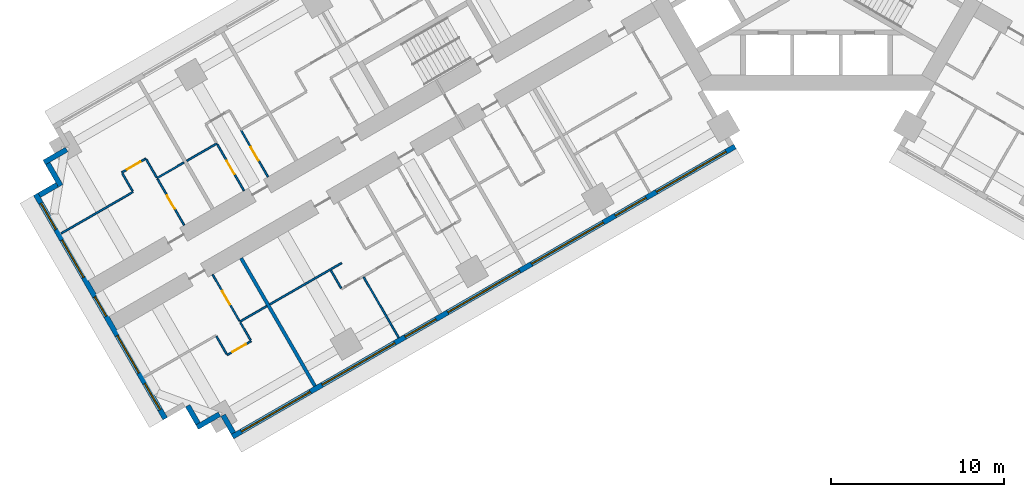
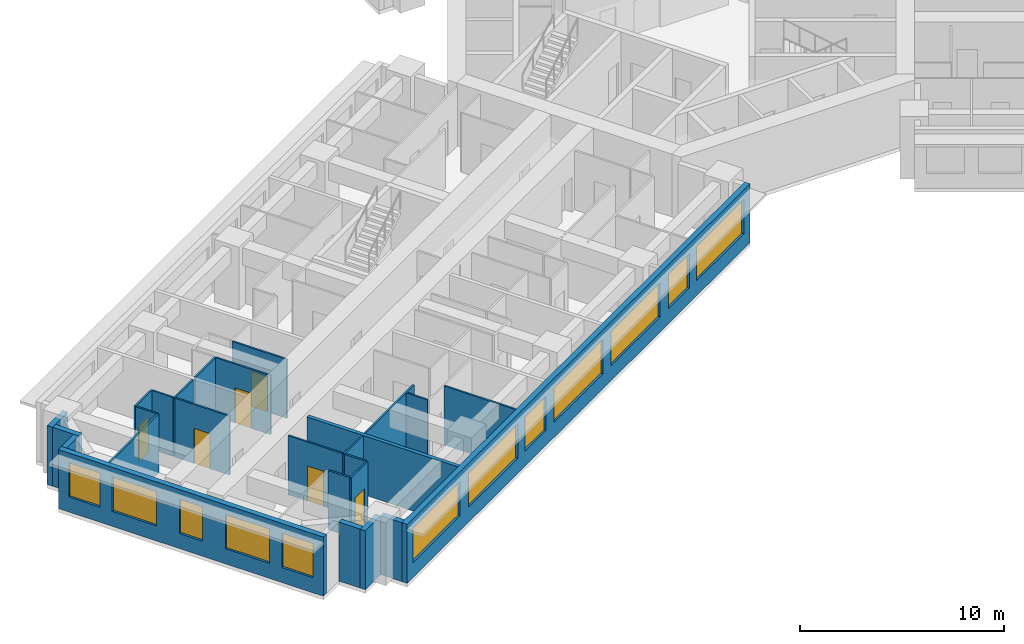
# One storey, part 3 of 16: 26 walls, 12 windows, 6 doors, 18 openings.
"""IFC4 building model written with IfcOpenShell, lengths in metres."""

import ifcopenshell
import ifcopenshell.guid

model = None  # the IFC model being written
_history = None  # IfcOwnerHistory: only IFC2X3 demands one
_inside = {}  # id of a spatial element -> (the spatial element, [elements in it])
_under = {}  # id of a project, library or spatial element -> (it, [spatial elements below it])
_declared = {}  # id of a project -> (the project, [libraries it declares])
_typed = {}  # id of a type object -> (the type object, [elements of that type])
_made_of = {}  # id of a material, layer set ... -> (it, [elements and type objects made of it])


def new_model(schema):
    """Start an empty IFC model of exactly this schema.

    Asked for "IFC4X3", IfcOpenShell would pick the latest addendum, in which some entities
    have other attributes; the version numbers below select the first issue.
    IFC2X3 requires an IfcOwnerHistory on every rooted entity: one is made here for all.
    """
    global model, _history
    if schema == "IFC4X3":
        model = ifcopenshell.file(schema_version=(4, 3, 0, 0))
    else:
        model = ifcopenshell.file(schema=schema)
    _inside.clear()
    _under.clear()
    _declared.clear()
    _typed.clear()
    _made_of.clear()
    _history = None
    if model.schema == "IFC2X3":
        org = make("IfcOrganization", Name="unknown")
        user = make(
            "IfcPersonAndOrganization",
            ThePerson=make("IfcPerson", FamilyName="unknown"),
            TheOrganization=org,
        )
        app = make(
            "IfcApplication",
            ApplicationDeveloper=org,
            Version="unknown",
            ApplicationFullName="unknown",
            ApplicationIdentifier="unknown",
        )
        _history = make(
            "IfcOwnerHistory",
            OwningUser=user,
            OwningApplication=app,
            ChangeAction="ADDED",
            CreationDate=0,
        )
    return model


def make(cls, **values):
    """One entity of the class cls with the attributes given. An attribute that is None is left unset."""
    return model.create_entity(
        cls, **{name: value for name, value in values.items() if value is not None}
    )


def rooted(cls, **values):
    """An entity with a GlobalId (a new one), such as an element, a storey or a relation."""
    return make(cls, GlobalId=ifcopenshell.guid.new(), OwnerHistory=_history, **values)


def si_unit(unit_type, name, prefix=None):
    """IfcSIUnit, for example si_unit("LENGTHUNIT", "METRE", prefix="MILLI")."""
    return make("IfcSIUnit", UnitType=unit_type, Prefix=prefix, Name=name)


def assignment(units):
    """IfcUnitAssignment: the units of a project."""
    return None if units is None else make("IfcUnitAssignment", Units=units)


def point(xyz):
    """IfcCartesianPoint."""
    return None if xyz is None else make("IfcCartesianPoint", Coordinates=xyz)


def direction(xyz):
    """IfcDirection."""
    return None if xyz is None else make("IfcDirection", DirectionRatios=xyz)


def frame(location, z_axis=None, x_axis=None):
    """IfcAxis2Placement3D, a coordinate frame: its origin and axes. An axis left out is left unset."""
    return make(
        "IfcAxis2Placement3D",
        Location=point(location),
        Axis=direction(z_axis),
        RefDirection=direction(x_axis),
    )


def frame_2d(location, x_axis=None):
    """IfcAxis2Placement2D, a coordinate frame in the plane: its origin and x axis."""
    return make(
        "IfcAxis2Placement2D", Location=point(location), RefDirection=direction(x_axis)
    )


def origin():
    """The frame at (0, 0, 0) with its axes left unset."""
    return frame((0.0, 0.0, 0.0))


def place(relative_to, where):
    """IfcLocalPlacement: puts the frame where relative to a parent placement (None: the world)."""
    return make(
        "IfcLocalPlacement", PlacementRelTo=relative_to, RelativePlacement=where
    )


def context(
    kind, dimensions, precision=None, world=None, true_north=None, identifier=None
):
    """IfcGeometricRepresentationContext, for example the 3D "Model" context."""
    return make(
        "IfcGeometricRepresentationContext",
        ContextIdentifier=identifier,
        ContextType=kind,
        CoordinateSpaceDimension=dimensions,
        Precision=precision,
        WorldCoordinateSystem=world,
        TrueNorth=true_north,
    )


def subcontext(parent, identifier, kind, view, scale=None):
    """IfcGeometricRepresentationSubContext, for example "Body" below "Model"."""
    return make(
        "IfcGeometricRepresentationSubContext",
        ContextIdentifier=identifier,
        ContextType=kind,
        ParentContext=parent,
        TargetScale=scale,
        TargetView=view,
    )


def project(units=None, contexts=None):
    """IfcProject with its units and contexts."""
    return rooted(
        "IfcProject",
        Name="project",
        RepresentationContexts=contexts,
        UnitsInContext=assignment(units),
    )


def spatial(cls, under=None, at=None, **own):
    """A site, building, storey or space (cls), placed at a placement, below another one or the project."""
    s = rooted(cls, ObjectPlacement=at, **own)
    if under is not None:
        _under.setdefault(under.id(), (under, []))[1].append(s)
    return s


def profile(cls, at=None, kind="AREA", **sizes):
    """A parametric profile (cls). Its sizes go by their IFC names, for example OverallWidth=200.0."""
    return make(cls, ProfileType=kind, Position=at, **sizes)


def rectangle(**sizes):
    """IfcRectangleProfileDef."""
    return profile("IfcRectangleProfileDef", **sizes)


def extrude(swept, where, along, depth):
    """IfcExtrudedAreaSolid: the profile swept, set in the frame where, extruded along a direction by depth."""
    return make(
        "IfcExtrudedAreaSolid",
        SweptArea=swept,
        Position=where,
        ExtrudedDirection=direction(along),
        Depth=depth,
    )


def shape(context_of_items, identifier, shape_type, items):
    """IfcShapeRepresentation: the items that make up one representation, for example the "Body"."""
    return make(
        "IfcShapeRepresentation",
        ContextOfItems=context_of_items,
        RepresentationIdentifier=identifier,
        RepresentationType=shape_type,
        Items=items,
    )


def material(Name=None, Category=None):
    """IfcMaterial."""
    return make("IfcMaterial", Name=Name, Category=Category)


def layer(
    of_material, thickness, ventilated=None, Name=None, Category=None, Priority=None
):
    """IfcMaterialLayer: one layer of a wall or slab, of a material (None: an air gap)."""
    return make(
        "IfcMaterialLayer",
        Material=of_material,
        LayerThickness=thickness,
        IsVentilated=ventilated,
        Name=Name,
        Category=Category,
        Priority=Priority,
    )


def layer_set(layers, Name=None):
    """IfcMaterialLayerSet."""
    return make("IfcMaterialLayerSet", MaterialLayers=layers, LayerSetName=Name)


def made_of(thing, what):
    """Note that an element or type object is made of a material, layer set ...; save() writes the relation."""
    if what is not None:
        _made_of.setdefault(what.id(), (what, []))[1].append(thing)
    return thing


def type_object(cls, material=None, **own):
    """A type object (cls), such as IfcWallType, which elements share."""
    return made_of(rooted(cls, **own), material)


def element(
    cls,
    number,
    at=None,
    inside=None,
    cuts=None,
    type_object=None,
    material=None,
    context=None,
    identifier="Body",
    shape_type=None,
    held_by="IfcProductDefinitionShape",
    body=None,
    shapes=None,
    **own,
):
    """One element of the class cls, such as IfcWall. Its Tag is "e" and its number.

    at: its placement. inside: the storey or other place that contains it. cuts: it is an
    opening in that element (IfcRelVoidsElement). A single representation is given by context,
    identifier, shape_type and body (its items); several are given by shapes. held_by: the class
    of the entity that holds the representations. save() writes the other relations.
    """
    e = rooted(cls, Tag="e%d" % number, ObjectPlacement=at, **own)
    if body is not None:
        shapes = [shape(context, identifier, shape_type, body)]
    if shapes is not None:
        e.Representation = make(held_by, Representations=shapes)
    if inside is not None:
        _inside.setdefault(inside.id(), (inside, []))[1].append(e)
    if cuts is not None:
        rooted(
            "IfcRelVoidsElement", RelatingBuildingElement=cuts, RelatedOpeningElement=e
        )
    if type_object is not None:
        _typed.setdefault(type_object.id(), (type_object, []))[1].append(e)
    return made_of(e, material)


def fill(opening, filler):
    """IfcRelFillsElement: the door or window that sits in an opening."""
    return rooted(
        "IfcRelFillsElement",
        RelatingOpeningElement=opening,
        RelatedBuildingElement=filler,
    )


def aggregate(whole, parts):
    """IfcRelAggregates: a whole, such as a stair, and the parts it consists of."""
    return rooted("IfcRelAggregates", RelatingObject=whole, RelatedObjects=parts)


def save(model, path):
    """Write the relations noted so far, then the file.

    IfcRelAggregates (storeys below a building ...), IfcRelContainedInSpatialStructure (elements
    in a storey), IfcRelDefinesByType, IfcRelAssociatesMaterial and IfcRelDeclares: one each for
    every whole, place, type object, material and project.
    """
    for whole, parts in _under.values():
        aggregate(whole, parts)
    for where, things in _inside.values():
        rooted(
            "IfcRelContainedInSpatialStructure",
            RelatedElements=things,
            RelatingStructure=where,
        )
    for kind, things in _typed.values():
        rooted("IfcRelDefinesByType", RelatedObjects=things, RelatingType=kind)
    for what, things in _made_of.values():
        rooted("IfcRelAssociatesMaterial", RelatedObjects=things, RelatingMaterial=what)
    for by, libraries in _declared.values():
        rooted("IfcRelDeclares", RelatingContext=by, RelatedDefinitions=libraries)
    model.write(path)


model = new_model("IFC4")

# Units and contexts
model_context = context("Model", 3, precision=1e-05, world=origin(), true_north=direction((0.0, 1.0)))
body_context = subcontext(model_context, "Body", "Model", "MODEL_VIEW")
ifc_project = project(units=[si_unit("LENGTHUNIT", "METRE"), si_unit("AREAUNIT", "SQUARE_METRE"), si_unit("VOLUMEUNIT", "CUBIC_METRE"), si_unit("PLANEANGLEUNIT", "RADIAN"), si_unit("MASSUNIT", "GRAM", prefix="KILO")], contexts=[model_context])

# Site, building, storey
site_placement = place(None, origin())
site = spatial("IfcSite", under=ifc_project, at=site_placement, CompositionType="ELEMENT")
building_placement = place(site_placement, origin())
building = spatial("IfcBuilding", under=site, at=building_placement, Name="Impinga Residences", CompositionType="ELEMENT")
storey_placement = place(building_placement, frame((0.0, 0.0, 63.5)))
storey = spatial("IfcBuildingStorey", under=building, at=storey_placement, Name="L15", CompositionType="ELEMENT", Elevation=63.5)

# Walls
ifc_material_1 = material(Name="Terracotta rainscreen on blockwork", Category="masonry")
ifc_layer_1 = layer(ifc_material_1, 0.300048828125)
ifc_layer_set_1 = layer_set([ifc_layer_1], Name="EW1 external wall, terracotta rainscreen on blockwork 300")
wall_type_1 = type_object("IfcWallType", Name="EW1 external wall, terracotta rainscreen on blockwork 300", PredefinedType="SOLIDWALL", material=ifc_layer_set_1)
wall_1_placement = place(storey_placement, frame((-33.7685546875, -31.274169921875, 0.0), z_axis=(0.0, 0.0, 1.0), x_axis=(-0.499940577336, 0.866059708757, 0.0)))
element("IfcWall", 1, at=wall_1_placement, inside=storey, type_object=wall_type_1, Name="External wall EW1 L15", PredefinedType="SOLIDWALL", context=body_context, shape_type="SweptSolid", body=[
    extrude(rectangle(XDim=1.195068359375, YDim=0.300048828125, at=frame_2d((0.59765625, 0.0))), origin(), (0.0, 0.0, 1.0), 3.530029296875),
])
wall_2_placement = place(storey_placement, frame((-34.573486328125, -30.18017578125, 0.0), z_axis=(0.0, 0.0, 1.0), x_axis=(-0.866031096941, -0.499990139034, 0.0)))
element("IfcWall", 2, at=wall_2_placement, inside=storey, type_object=wall_type_1, Name="External wall EW1 L15", PredefinedType="SOLIDWALL", context=body_context, shape_type="SweptSolid", body=[
    extrude(rectangle(XDim=1.5, YDim=0.300048828125, at=frame_2d((0.75, 0.0))), origin(), (0.0, 0.0, 1.0), 3.530029296875),
])
wall_3_placement = place(storey_placement, frame((-35.817626953125, -30.72509765625, 0.0), z_axis=(0.0, 0.0, 1.0), x_axis=(-0.499969057507, 0.866043267704, 0.0)))
element("IfcWall", 3, at=wall_3_placement, inside=storey, type_object=wall_type_1, Name="External wall EW1 L15", PredefinedType="SOLIDWALL", context=body_context, shape_type="SweptSolid", body=[
    extrude(rectangle(XDim=1.19970703125, YDim=0.300048828125, at=frame_2d((0.599853515625, 0.0))), origin(), (0.0, 0.0, 1.0), 3.530029296875),
])

# Wall, openings, windows
wall_4_placement = place(storey_placement, frame((-37.716552734375, -30.43603515625, 0.0), z_axis=(0.0, 0.0, 1.0), x_axis=(-0.499997186618, 0.866027028085, 0.0)))
wall_4 = element("IfcWall", 4, at=wall_4_placement, inside=storey, type_object=wall_type_1, Name="External wall EW1 L15", PredefinedType="SOLIDWALL", context=body_context, shape_type="SweptSolid", body=[
    extrude(rectangle(XDim=15.0, YDim=0.300048828125, at=frame_2d((7.5, 0.0))), origin(), (0.0, 0.0, 1.0), 3.530029296875),
])
opening_1_placement = place(wall_4_placement, frame((0.60009765625, 0.0, 0.89990234375)))
opening_1 = element("IfcOpeningElement", 5, at=opening_1_placement, cuts=wall_4, Name="Opening W1", PredefinedType="OPENING", context=body_context, shape_type="SweptSolid", body=[
    extrude(rectangle(XDim=1.75, YDim=2.050048828125, at=frame_2d((0.875, 1.02490234375))), frame((0.0, 0.159912109375, 0.0), z_axis=(0.0, -1.0, 0.0), x_axis=(1.0, 0.0, 0.0)), (0.0, 0.0, 1.0), 0.320068359375),
])
opening_2_placement = place(wall_4_placement, frame((3.050048828125, 0.0, 0.89990234375)))
opening_2 = element("IfcOpeningElement", 6, at=opening_2_placement, cuts=wall_4, Name="Opening W2", PredefinedType="OPENING", context=body_context, shape_type="SweptSolid", body=[
    extrude(rectangle(XDim=2.5, YDim=2.050048828125, at=frame_2d((1.25, 1.02490234375))), frame((0.0, 0.159912109375, 0.0), z_axis=(0.0, -1.0, 0.0), x_axis=(1.0, 0.0, 0.0)), (0.0, 0.0, 1.0), 0.320068359375),
])
opening_3_placement = place(wall_4_placement, frame((6.85009765625, 0.0, 0.89990234375)))
opening_3 = element("IfcOpeningElement", 7, at=opening_3_placement, cuts=wall_4, Name="Opening WE1", PredefinedType="OPENING", context=body_context, shape_type="SweptSolid", body=[
    extrude(rectangle(XDim=1.300048828125, YDim=2.050048828125, at=frame_2d((0.64990234375, 1.02490234375))), frame((0.0, 0.159912109375, 0.0), z_axis=(0.0, -1.0, 0.0), x_axis=(1.0, 0.0, 0.0)), (0.0, 0.0, 1.0), 0.320068359375),
])
opening_4_placement = place(wall_4_placement, frame((9.449951171875, 0.0, 0.89990234375)))
opening_4 = element("IfcOpeningElement", 8, at=opening_4_placement, cuts=wall_4, Name="Opening W2", PredefinedType="OPENING", context=body_context, shape_type="SweptSolid", body=[
    extrude(rectangle(XDim=2.5, YDim=2.050048828125, at=frame_2d((1.25, 1.02490234375))), frame((0.0, 0.159912109375, 0.0), z_axis=(0.0, -1.0, 0.0), x_axis=(1.0, 0.0, 0.0)), (0.0, 0.0, 1.0), 0.320068359375),
])
opening_5_placement = place(wall_4_placement, frame((12.64990234375, 0.0, 0.89990234375)))
opening_5 = element("IfcOpeningElement", 9, at=opening_5_placement, cuts=wall_4, Name="Opening W1", PredefinedType="OPENING", context=body_context, shape_type="SweptSolid", body=[
    extrude(rectangle(XDim=1.75, YDim=2.050048828125, at=frame_2d((0.875, 1.02490234375))), frame((0.0, 0.159912109375, 0.0), z_axis=(0.0, -1.0, 0.0), x_axis=(1.0, 0.0, 0.0)), (0.0, 0.0, 1.0), 0.320068359375),
])
ifc_material_2 = material(Name="Aluminium window, clear double glazing", Category="aluminium")
window_type_1 = type_object("IfcWindowType", Name="W1 ribbon window 1750x2050", PartitioningType="SINGLE_PANEL", PredefinedType="WINDOW", material=ifc_material_2)
window_1_placement = place(opening_1_placement, origin())
window_1 = element("IfcWindow", 10, at=window_1_placement, inside=storey, type_object=window_type_1, Name="Window L15", OverallHeight=2.050048828125, OverallWidth=1.75, PartitioningType="SINGLE_PANEL", PredefinedType="WINDOW", context=body_context, shape_type="SweptSolid", body=[
    extrude(rectangle(XDim=1.75, YDim=2.050048828125, at=frame_2d((0.875, 1.02490234375))), frame((0.0, 0.030029296875, 0.0), z_axis=(0.0, -1.0, 0.0), x_axis=(1.0, 0.0, 0.0)), (0.0, 0.0, 1.0), 0.06005859375),
])
fill(opening_1, window_1)
window_2_placement = place(opening_5_placement, origin())
window_2 = element("IfcWindow", 11, at=window_2_placement, inside=storey, type_object=window_type_1, Name="Window L15", OverallHeight=2.050048828125, OverallWidth=1.75, PartitioningType="SINGLE_PANEL", PredefinedType="WINDOW", context=body_context, shape_type="SweptSolid", body=[
    extrude(rectangle(XDim=1.75, YDim=2.050048828125, at=frame_2d((0.875, 1.02490234375))), frame((0.0, 0.030029296875, 0.0), z_axis=(0.0, -1.0, 0.0), x_axis=(1.0, 0.0, 0.0)), (0.0, 0.0, 1.0), 0.06005859375),
])
fill(opening_5, window_2)
window_type_2 = type_object("IfcWindowType", Name="W2 ribbon window 2500x2050", PartitioningType="SINGLE_PANEL", PredefinedType="WINDOW", material=ifc_material_2)
window_3_placement = place(opening_2_placement, origin())
window_3 = element("IfcWindow", 12, at=window_3_placement, inside=storey, type_object=window_type_2, Name="Window L15", OverallHeight=2.050048828125, OverallWidth=2.5, PartitioningType="SINGLE_PANEL", PredefinedType="WINDOW", context=body_context, shape_type="SweptSolid", body=[
    extrude(rectangle(XDim=2.5, YDim=2.050048828125, at=frame_2d((1.25, 1.02490234375))), frame((0.0, 0.030029296875, 0.0), z_axis=(0.0, -1.0, 0.0), x_axis=(1.0, 0.0, 0.0)), (0.0, 0.0, 1.0), 0.06005859375),
])
fill(opening_2, window_3)
window_4_placement = place(opening_4_placement, origin())
window_4 = element("IfcWindow", 13, at=window_4_placement, inside=storey, type_object=window_type_2, Name="Window L15", OverallHeight=2.050048828125, OverallWidth=2.5, PartitioningType="SINGLE_PANEL", PredefinedType="WINDOW", context=body_context, shape_type="SweptSolid", body=[
    extrude(rectangle(XDim=2.5, YDim=2.050048828125, at=frame_2d((1.25, 1.02490234375))), frame((0.0, 0.030029296875, 0.0), z_axis=(0.0, -1.0, 0.0), x_axis=(1.0, 0.0, 0.0)), (0.0, 0.0, 1.0), 0.06005859375),
])
fill(opening_4, window_4)
window_type_3 = type_object("IfcWindowType", Name="WE1 corridor window 1300x2050", PartitioningType="SINGLE_PANEL", PredefinedType="WINDOW", material=ifc_material_2)
window_5_placement = place(opening_3_placement, origin())
window_5 = element("IfcWindow", 14, at=window_5_placement, inside=storey, type_object=window_type_3, Name="Window L15", OverallHeight=2.050048828125, OverallWidth=1.300048828125, PartitioningType="SINGLE_PANEL", PredefinedType="WINDOW", context=body_context, shape_type="SweptSolid", body=[
    extrude(rectangle(XDim=1.300048828125, YDim=2.050048828125, at=frame_2d((0.64990234375, 1.02490234375))), frame((0.0, 0.030029296875, 0.0), z_axis=(0.0, -1.0, 0.0), x_axis=(1.0, 0.0, 0.0)), (0.0, 0.0, 1.0), 0.06005859375),
])
fill(opening_3, window_5)

# Walls
wall_5_placement = place(storey_placement, frame((-45.01171875, -17.50048828125, 0.0), z_axis=(0.0, 0.0, 1.0), x_axis=(0.866059708757, 0.499940577336, 0.0)))
element("IfcWall", 15, at=wall_5_placement, inside=storey, type_object=wall_type_1, Name="External wall EW1 L15", PredefinedType="SOLIDWALL", context=body_context, shape_type="SweptSolid", body=[
    extrude(rectangle(XDim=1.195068359375, YDim=0.300048828125, at=frame_2d((0.59765625, 0.0))), origin(), (0.0, 0.0, 1.0), 3.530029296875),
])
for number, where, z_axis, x_axis, name in (
    (16, (-43.767578125, -16.955322265625, 0.0), (0.0, 0.0, 1.0), (-0.499990139034, 0.866031096941, 0.0), "External wall EW1 L15"),
    (17, (-44.722412109375, -15.6015625, 0.0), (0.0, 0.0, 1.0), (0.866031096941, 0.499990139034, 0.0), "External wall EW1 L15"),
):
    element("IfcWall", number, at=place(storey_placement, frame(where, z_axis=z_axis, x_axis=x_axis)), inside=storey, type_object=wall_type_1, Name=name, PredefinedType="SOLIDWALL", context=body_context, shape_type="SweptSolid", body=[
        extrude(rectangle(XDim=1.5, YDim=0.300048828125, at=frame_2d((0.75, 0.0))), origin(), (0.0, 0.0, 1.0), 3.530029296875),
    ])

# Wall, openings, windows
wall_6_placement = place(storey_placement, frame((-4.72509765625, -14.67919921875, 0.0), z_axis=(0.0, 0.0, 1.0), x_axis=(-0.866024291668, -0.500001926238, 0.0)))
wall_6 = element("IfcWall", 18, at=wall_6_placement, inside=storey, type_object=wall_type_1, Name="External wall EW1 L15", PredefinedType="SOLIDWALL", context=body_context, shape_type="SweptSolid", body=[
    extrude(rectangle(XDim=33.599853515625, YDim=0.300048828125, at=frame_2d((16.7998046875, 0.0))), origin(), (0.0, 0.0, 1.0), 3.530029296875),
])
opening_6_placement = place(wall_6_placement, frame((0.60009765625, 0.0, 0.89990234375)))
opening_6 = element("IfcOpeningElement", 19, at=opening_6_placement, cuts=wall_6, Name="Opening W10", PredefinedType="OPENING", context=body_context, shape_type="SweptSolid", body=[
    extrude(rectangle(XDim=4.64990234375, YDim=2.050048828125, at=frame_2d((2.324951171875, 1.02490234375))), frame((0.0, 0.159912109375, 0.0), z_axis=(0.0, -1.0, 0.0), x_axis=(1.0, 0.0, 0.0)), (0.0, 0.0, 1.0), 0.320068359375),
])
opening_7_placement = place(wall_6_placement, frame((5.949951171875, 0.0, 0.89990234375)))
opening_7 = element("IfcOpeningElement", 20, at=opening_7_placement, cuts=wall_6, Name="Opening W14", PredefinedType="OPENING", context=body_context, shape_type="SweptSolid", body=[
    extrude(rectangle(XDim=2.050048828125, YDim=2.050048828125, at=frame_2d((1.02490234375, 1.02490234375))), frame((0.0, 0.159912109375, 0.0), z_axis=(0.0, -1.0, 0.0), x_axis=(1.0, 0.0, 0.0)), (0.0, 0.0, 1.0), 0.320068359375),
])
opening_8_placement = place(wall_6_placement, frame((8.800048828125, 0.0, 0.89990234375)))
opening_8 = element("IfcOpeningElement", 21, at=opening_8_placement, cuts=wall_6, Name="Opening W8", PredefinedType="OPENING", context=body_context, shape_type="SweptSolid", body=[
    extrude(rectangle(XDim=4.800048828125, YDim=2.050048828125, at=frame_2d((2.39990234375, 1.02490234375))), frame((0.0, 0.159912109375, 0.0), z_axis=(0.0, -1.0, 0.0), x_axis=(1.0, 0.0, 0.0)), (0.0, 0.0, 1.0), 0.320068359375),
])
opening_9_placement = place(wall_6_placement, frame((14.39990234375, 0.0, 0.89990234375)))
opening_9 = element("IfcOpeningElement", 22, at=opening_9_placement, cuts=wall_6, Name="Opening W8", PredefinedType="OPENING", context=body_context, shape_type="SweptSolid", body=[
    extrude(rectangle(XDim=4.800048828125, YDim=2.050048828125, at=frame_2d((2.39990234375, 1.02490234375))), frame((0.0, 0.159912109375, 0.0), z_axis=(0.0, -1.0, 0.0), x_axis=(1.0, 0.0, 0.0)), (0.0, 0.0, 1.0), 0.320068359375),
])
opening_10_placement = place(wall_6_placement, frame((20.0, 0.0, 0.89990234375)))
opening_10 = element("IfcOpeningElement", 23, at=opening_10_placement, cuts=wall_6, Name="Opening W14", PredefinedType="OPENING", context=body_context, shape_type="SweptSolid", body=[
    extrude(rectangle(XDim=2.050048828125, YDim=2.050048828125, at=frame_2d((1.02490234375, 1.02490234375))), frame((0.0, 0.159912109375, 0.0), z_axis=(0.0, -1.0, 0.0), x_axis=(1.0, 0.0, 0.0)), (0.0, 0.0, 1.0), 0.320068359375),
])
opening_11_placement = place(wall_6_placement, frame((22.75, 0.0, 0.89990234375)))
opening_11 = element("IfcOpeningElement", 24, at=opening_11_placement, cuts=wall_6, Name="Opening W6", PredefinedType="OPENING", context=body_context, shape_type="SweptSolid", body=[
    extrude(rectangle(XDim=4.85009765625, YDim=2.050048828125, at=frame_2d((2.425048828125, 1.02490234375))), frame((0.0, 0.159912109375, 0.0), z_axis=(0.0, -1.0, 0.0), x_axis=(1.0, 0.0, 0.0)), (0.0, 0.0, 1.0), 0.320068359375),
])
opening_12_placement = place(wall_6_placement, frame((28.39990234375, 0.0, 0.89990234375)))
opening_12 = element("IfcOpeningElement", 25, at=opening_12_placement, cuts=wall_6, Name="Opening W3", PredefinedType="OPENING", context=body_context, shape_type="SweptSolid", body=[
    extrude(rectangle(XDim=4.60009765625, YDim=2.050048828125, at=frame_2d((2.300048828125, 1.02490234375))), frame((0.0, 0.159912109375, 0.0), z_axis=(0.0, -1.0, 0.0), x_axis=(1.0, 0.0, 0.0)), (0.0, 0.0, 1.0), 0.320068359375),
])
window_type_4 = type_object("IfcWindowType", Name="W10 ribbon window 4650x2050", PartitioningType="SINGLE_PANEL", PredefinedType="WINDOW", material=ifc_material_2)
window_6_placement = place(opening_6_placement, origin())
window_6 = element("IfcWindow", 26, at=window_6_placement, inside=storey, type_object=window_type_4, Name="Window L15", OverallHeight=2.050048828125, OverallWidth=4.64990234375, PartitioningType="SINGLE_PANEL", PredefinedType="WINDOW", context=body_context, shape_type="SweptSolid", body=[
    extrude(rectangle(XDim=4.64990234375, YDim=2.050048828125, at=frame_2d((2.324951171875, 1.02490234375))), frame((0.0, 0.030029296875, 0.0), z_axis=(0.0, -1.0, 0.0), x_axis=(1.0, 0.0, 0.0)), (0.0, 0.0, 1.0), 0.06005859375),
])
fill(opening_6, window_6)
window_type_5 = type_object("IfcWindowType", Name="W14 ribbon window 2050x2050", PartitioningType="SINGLE_PANEL", PredefinedType="WINDOW", material=ifc_material_2)
window_7_placement = place(opening_7_placement, origin())
window_7 = element("IfcWindow", 27, at=window_7_placement, inside=storey, type_object=window_type_5, Name="Window L15", OverallHeight=2.050048828125, OverallWidth=2.050048828125, PartitioningType="SINGLE_PANEL", PredefinedType="WINDOW", context=body_context, shape_type="SweptSolid", body=[
    extrude(rectangle(XDim=2.050048828125, YDim=2.050048828125, at=frame_2d((1.02490234375, 1.02490234375))), frame((0.0, 0.030029296875, 0.0), z_axis=(0.0, -1.0, 0.0), x_axis=(1.0, 0.0, 0.0)), (0.0, 0.0, 1.0), 0.06005859375),
])
fill(opening_7, window_7)
window_8_placement = place(opening_10_placement, origin())
window_8 = element("IfcWindow", 28, at=window_8_placement, inside=storey, type_object=window_type_5, Name="Window L15", OverallHeight=2.050048828125, OverallWidth=2.050048828125, PartitioningType="SINGLE_PANEL", PredefinedType="WINDOW", context=body_context, shape_type="SweptSolid", body=[
    extrude(rectangle(XDim=2.050048828125, YDim=2.050048828125, at=frame_2d((1.02490234375, 1.02490234375))), frame((0.0, 0.030029296875, 0.0), z_axis=(0.0, -1.0, 0.0), x_axis=(1.0, 0.0, 0.0)), (0.0, 0.0, 1.0), 0.06005859375),
])
fill(opening_10, window_8)
window_type_6 = type_object("IfcWindowType", Name="W3 ribbon window 4600x2050", PartitioningType="SINGLE_PANEL", PredefinedType="WINDOW", material=ifc_material_2)
window_9_placement = place(opening_12_placement, origin())
window_9 = element("IfcWindow", 29, at=window_9_placement, inside=storey, type_object=window_type_6, Name="Window L15", OverallHeight=2.050048828125, OverallWidth=4.60009765625, PartitioningType="SINGLE_PANEL", PredefinedType="WINDOW", context=body_context, shape_type="SweptSolid", body=[
    extrude(rectangle(XDim=4.60009765625, YDim=2.050048828125, at=frame_2d((2.300048828125, 1.02490234375))), frame((0.0, 0.030029296875, 0.0), z_axis=(0.0, -1.0, 0.0), x_axis=(1.0, 0.0, 0.0)), (0.0, 0.0, 1.0), 0.06005859375),
])
fill(opening_12, window_9)
window_type_7 = type_object("IfcWindowType", Name="W6 ribbon window 4850x2050", PartitioningType="SINGLE_PANEL", PredefinedType="WINDOW", material=ifc_material_2)
window_10_placement = place(opening_11_placement, origin())
window_10 = element("IfcWindow", 30, at=window_10_placement, inside=storey, type_object=window_type_7, Name="Window L15", OverallHeight=2.050048828125, OverallWidth=4.85009765625, PartitioningType="SINGLE_PANEL", PredefinedType="WINDOW", context=body_context, shape_type="SweptSolid", body=[
    extrude(rectangle(XDim=4.85009765625, YDim=2.050048828125, at=frame_2d((2.425048828125, 1.02490234375))), frame((0.0, 0.030029296875, 0.0), z_axis=(0.0, -1.0, 0.0), x_axis=(1.0, 0.0, 0.0)), (0.0, 0.0, 1.0), 0.06005859375),
])
fill(opening_11, window_10)
window_type_8 = type_object("IfcWindowType", Name="W8 ribbon window 4800x2050", PartitioningType="SINGLE_PANEL", PredefinedType="WINDOW", material=ifc_material_2)
window_11_placement = place(opening_8_placement, origin())
window_11 = element("IfcWindow", 31, at=window_11_placement, inside=storey, type_object=window_type_8, Name="Window L15", OverallHeight=2.050048828125, OverallWidth=4.800048828125, PartitioningType="SINGLE_PANEL", PredefinedType="WINDOW", context=body_context, shape_type="SweptSolid", body=[
    extrude(rectangle(XDim=4.800048828125, YDim=2.050048828125, at=frame_2d((2.39990234375, 1.02490234375))), frame((0.0, 0.030029296875, 0.0), z_axis=(0.0, -1.0, 0.0), x_axis=(1.0, 0.0, 0.0)), (0.0, 0.0, 1.0), 0.06005859375),
])
fill(opening_8, window_11)
window_12_placement = place(opening_9_placement, origin())
window_12 = element("IfcWindow", 32, at=window_12_placement, inside=storey, type_object=window_type_8, Name="Window L15", OverallHeight=2.050048828125, OverallWidth=4.800048828125, PartitioningType="SINGLE_PANEL", PredefinedType="WINDOW", context=body_context, shape_type="SweptSolid", body=[
    extrude(rectangle(XDim=4.800048828125, YDim=2.050048828125, at=frame_2d((2.39990234375, 1.02490234375))), frame((0.0, 0.030029296875, 0.0), z_axis=(0.0, -1.0, 0.0), x_axis=(1.0, 0.0, 0.0)), (0.0, 0.0, 1.0), 0.06005859375),
])
fill(opening_9, window_12)

# Walls
ifc_material_3 = material(Name="Gypsum board on steel studs", Category="steel")
ifc_layer_2 = layer(ifc_material_3, 0.10009765625)
ifc_layer_set_2 = layer_set([ifc_layer_2], Name="Gypsum board on steel studs")
wall_type_2 = type_object("IfcWallType", Name="IP1 partition 100", PredefinedType="PARTITIONING", material=ifc_layer_set_2)
wall_7_placement = place(storey_placement, frame((-27.505126953125, -21.422607421875, 0.0), z_axis=(0.0, 0.0, 1.0), x_axis=(-0.866015339567, -0.500017431331, 0.0)))
element("IfcWall", 33, at=wall_7_placement, inside=storey, type_object=wall_type_2, Name="Partition L15-WA4:DIV1", PredefinedType="PARTITIONING", context=body_context, shape_type="SweptSolid", body=[
    extrude(rectangle(XDim=4.800048828125, YDim=0.10009765625, at=frame_2d((2.39990234375, 0.0))), origin(), (0.0, 0.0, 1.0), 3.530029296875),
])
wall_8_placement = place(storey_placement, frame((-28.129638671875, -21.841064453125, 0.0), z_axis=(0.0, 0.0, 1.0), x_axis=(0.499969057507, -0.866043267704, 0.0)))
element("IfcWall", 34, at=wall_8_placement, inside=storey, type_object=wall_type_2, Name="Partition L15-WA4:SE1", PredefinedType="PARTITIONING", context=body_context, shape_type="SweptSolid", body=[
    extrude(rectangle(XDim=1.19970703125, YDim=0.10009765625, at=frame_2d((0.599853515625, 0.0))), origin(), (0.0, 0.0, 1.0), 3.530029296875),
])
wall_9_placement = place(storey_placement, frame((-26.223876953125, -22.241943359375, 0.0), z_axis=(0.0, 0.0, 1.0), x_axis=(0.499990325971, -0.866030989016, 0.0)))
element("IfcWall", 35, at=wall_9_placement, inside=storey, type_object=wall_type_2, Name="Partition L15-WA4:OB1", PredefinedType="PARTITIONING", context=body_context, shape_type="SweptSolid", body=[
    extrude(rectangle(XDim=4.0498046875, YDim=0.10009765625, at=frame_2d((2.02490234375, 0.0))), origin(), (0.0, 0.0, 1.0), 3.530029296875),
])
wall_10_placement = place(storey_placement, frame((-31.835205078125, -23.922607421875, 0.0), z_axis=(0.0, 0.0, 1.0), x_axis=(-0.865989075817, -0.500062916607, 0.0)))
element("IfcWall", 36, at=wall_10_placement, inside=storey, type_object=wall_type_2, Name="Partition L15-WA5:DIV0", PredefinedType="PARTITIONING", context=body_context, shape_type="SweptSolid", body=[
    extrude(rectangle(XDim=1.800048828125, YDim=0.10009765625, at=frame_2d((0.89990234375, 0.0))), origin(), (0.0, 0.0, 1.0), 3.530029296875),
])

# Wall, opening, door
wall_11_placement = place(storey_placement, frame((-32.744140625, -25.948486328125, 0.0), z_axis=(0.0, 0.0, 1.0), x_axis=(-0.866028054938, -0.499995408039, 0.0)))
wall_11 = element("IfcWall", 37, at=wall_11_placement, inside=storey, type_object=wall_type_2, Name="Partition L15-WA5:STRIP", PredefinedType="PARTITIONING", context=body_context, shape_type="SweptSolid", body=[
    extrude(rectangle(XDim=1.60009765625, YDim=0.10009765625, at=frame_2d((0.800048828125, 0.0))), origin(), (0.0, 0.0, 1.0), 3.530029296875),
])
opening_13_placement = place(wall_11_placement, frame((0.35009765625, 0.0, 0.0)))
opening_13 = element("IfcOpeningElement", 38, at=opening_13_placement, cuts=wall_11, Name="Opening D2", PredefinedType="OPENING", context=body_context, shape_type="SweptSolid", body=[
    extrude(rectangle(XDim=0.89990234375, YDim=2.10009765625, at=frame_2d((0.449951171875, 1.050048828125))), frame((0.0, 0.06005859375, 0.0), z_axis=(0.0, -1.0, 0.0), x_axis=(1.0, 0.0, 0.0)), (0.0, 0.0, 1.0), 0.1201171875),
])
ifc_material_4 = material(Name="Timber door set", Category="wood")
door_type = type_object("IfcDoorType", Name="D2 internal door 900x2100", OperationType="SINGLE_SWING_LEFT", PredefinedType="DOOR", material=ifc_material_4)
door_1_placement = place(opening_13_placement, origin())
door_1 = element("IfcDoor", 39, at=door_1_placement, inside=storey, type_object=door_type, Name="Apartment L15-WA5 room door", OperationType="SINGLE_SWING_LEFT", OverallHeight=2.10009765625, OverallWidth=0.89990234375, PredefinedType="DOOR", context=body_context, shape_type="SweptSolid", body=[
    extrude(rectangle(XDim=0.89990234375, YDim=2.10009765625, at=frame_2d((0.449951171875, 1.050048828125))), frame((0.0, 0.02490234375, 0.0), z_axis=(0.0, -1.0, 0.0), x_axis=(1.0, 0.0, 0.0)), (0.0, 0.0, 1.0), 0.050048828125),
])
fill(opening_13, door_1)

# Walls
for number, where, z_axis, x_axis, name in (
    (40, (-33.369140625, -24.865966796875, 0.0), (0.0, 0.0, 1.0), (0.500033551112, -0.866006032174, 0.0), "Partition L15-WA5:SE0"),
    (41, (-34.7548828125, -25.666015625, 0.0), (0.0, 0.0, 1.0), (0.500033551112, -0.866006032174, 0.0), "Partition L15-WA5:SE1"),
):
    element("IfcWall", number, at=place(storey_placement, frame(where, z_axis=z_axis, x_axis=x_axis)), inside=storey, type_object=wall_type_2, Name=name, PredefinedType="PARTITIONING", context=body_context, shape_type="SweptSolid", body=[
        extrude(rectangle(XDim=1.2001953125, YDim=0.10009765625, at=frame_2d((0.60009765625, 0.0))), origin(), (0.0, 0.0, 1.0), 3.530029296875),
    ])

# Wall, opening, door
wall_12_placement = place(storey_placement, frame((-34.96923828125, -22.0947265625, 0.0), z_axis=(0.0, 0.0, 1.0), x_axis=(0.500026960575, -0.86600983753, 0.0)))
wall_12 = element("IfcWall", 42, at=wall_12_placement, inside=storey, type_object=wall_type_2, Name="Partition L15-WA5:IB1", PredefinedType="PARTITIONING", context=body_context, shape_type="SweptSolid", body=[
    extrude(rectangle(XDim=3.099853515625, YDim=0.10009765625, at=frame_2d((1.5498046875, 0.0))), origin(), (0.0, 0.0, 1.0), 3.530029296875),
])
opening_14_placement = place(wall_12_placement, frame((1.10009765625, 0.0, 0.0)))
opening_14 = element("IfcOpeningElement", 43, at=opening_14_placement, cuts=wall_12, Name="Opening D2", PredefinedType="OPENING", context=body_context, shape_type="SweptSolid", body=[
    extrude(rectangle(XDim=0.89990234375, YDim=2.10009765625, at=frame_2d((0.449951171875, 1.050048828125))), frame((0.0, 0.06005859375, 0.0), z_axis=(0.0, -1.0, 0.0), x_axis=(1.0, 0.0, 0.0)), (0.0, 0.0, 1.0), 0.1201171875),
])
door_2_placement = place(opening_14_placement, origin())
door_2 = element("IfcDoor", 44, at=door_2_placement, inside=storey, type_object=door_type, Name="Apartment L15-WA5 bathroom door", OperationType="SINGLE_SWING_LEFT", OverallHeight=2.10009765625, OverallWidth=0.89990234375, PredefinedType="DOOR", context=body_context, shape_type="SweptSolid", body=[
    extrude(rectangle(XDim=0.89990234375, YDim=2.10009765625, at=frame_2d((0.449951171875, 1.050048828125))), frame((0.0, 0.02490234375, 0.0), z_axis=(0.0, -1.0, 0.0), x_axis=(1.0, 0.0, 0.0)), (0.0, 0.0, 1.0), 0.050048828125),
])
fill(opening_14, door_2)

# Wall
wall_13_placement = place(storey_placement, frame((-34.72998046875, -14.5087890625, 0.0), z_axis=(0.0, 0.0, 1.0), x_axis=(-0.866041268327, -0.499972520799, 0.0)))
element("IfcWall", 45, at=wall_13_placement, inside=storey, type_object=wall_type_2, Name="Partition L15-WF3:DIV1", PredefinedType="PARTITIONING", context=body_context, shape_type="SweptSolid", body=[
    extrude(rectangle(XDim=2.0, YDim=0.10009765625, at=frame_2d((1.0, 0.0))), origin(), (0.0, 0.0, 1.0), 3.530029296875),
])

# Wall, opening, door
wall_14_placement = place(storey_placement, frame((-31.76953125, -16.436767578125, 0.0), z_axis=(0.0, 0.0, 1.0), x_axis=(-0.499967891604, 0.866043940782, 0.0)))
wall_14 = element("IfcWall", 46, at=wall_14_placement, inside=storey, type_object=wall_type_2, Name="Partition L15-WF3:IB1", PredefinedType="PARTITIONING", context=body_context, shape_type="SweptSolid", body=[
    extrude(rectangle(XDim=3.099853515625, YDim=0.10009765625, at=frame_2d((1.5498046875, 0.0))), origin(), (0.0, 0.0, 1.0), 3.530029296875),
])
opening_15_placement = place(wall_14_placement, frame((1.10009765625, 0.0, 0.0)))
opening_15 = element("IfcOpeningElement", 47, at=opening_15_placement, cuts=wall_14, Name="Opening D2", PredefinedType="OPENING", context=body_context, shape_type="SweptSolid", body=[
    extrude(rectangle(XDim=0.89990234375, YDim=2.10009765625, at=frame_2d((0.449951171875, 1.050048828125))), frame((0.0, 0.06005859375, 0.0), z_axis=(0.0, -1.0, 0.0), x_axis=(1.0, 0.0, 0.0)), (0.0, 0.0, 1.0), 0.1201171875),
])
door_3_placement = place(opening_15_placement, origin())
door_3 = element("IfcDoor", 48, at=door_3_placement, inside=storey, type_object=door_type, Name="Apartment L15-WF3 bathroom door", OperationType="SINGLE_SWING_LEFT", OverallHeight=2.10009765625, OverallWidth=0.89990234375, PredefinedType="DOOR", context=body_context, shape_type="SweptSolid", body=[
    extrude(rectangle(XDim=0.89990234375, YDim=2.10009765625, at=frame_2d((0.449951171875, 1.050048828125))), frame((0.0, 0.02490234375, 0.0), z_axis=(0.0, -1.0, 0.0), x_axis=(1.0, 0.0, 0.0)), (0.0, 0.0, 1.0), 0.050048828125),
])
fill(opening_15, door_3)

wall_15_placement = place(storey_placement, frame((-33.155029296875, -17.23681640625, 0.0), z_axis=(0.0, 0.0, 1.0), x_axis=(-0.500026960575, 0.86600983753, 0.0)))
wall_15 = element("IfcWall", 49, at=wall_15_placement, inside=storey, type_object=wall_type_2, Name="Partition L15-WF3:IB2", PredefinedType="PARTITIONING", context=body_context, shape_type="SweptSolid", body=[
    extrude(rectangle(XDim=3.099853515625, YDim=0.10009765625, at=frame_2d((1.5498046875, 0.0))), origin(), (0.0, 0.0, 1.0), 3.530029296875),
])
opening_16_placement = place(wall_15_placement, frame((1.10009765625, 0.0, 0.0)))
opening_16 = element("IfcOpeningElement", 50, at=opening_16_placement, cuts=wall_15, Name="Opening D2", PredefinedType="OPENING", context=body_context, shape_type="SweptSolid", body=[
    extrude(rectangle(XDim=0.89990234375, YDim=2.10009765625, at=frame_2d((0.449951171875, 1.050048828125))), frame((0.0, 0.06005859375, 0.0), z_axis=(0.0, -1.0, 0.0), x_axis=(1.0, 0.0, 0.0)), (0.0, 0.0, 1.0), 0.1201171875),
])
door_4_placement = place(opening_16_placement, origin())
door_4 = element("IfcDoor", 51, at=door_4_placement, inside=storey, type_object=door_type, Name="Apartment L15-WF3 WC door", OperationType="SINGLE_SWING_LEFT", OverallHeight=2.10009765625, OverallWidth=0.89990234375, PredefinedType="DOOR", context=body_context, shape_type="SweptSolid", body=[
    extrude(rectangle(XDim=0.89990234375, YDim=2.10009765625, at=frame_2d((0.449951171875, 1.050048828125))), frame((0.0, 0.02490234375, 0.0), z_axis=(0.0, -1.0, 0.0), x_axis=(1.0, 0.0, 0.0)), (0.0, 0.0, 1.0), 0.050048828125),
])
fill(opening_16, door_4)

# Walls
wall_16_placement = place(storey_placement, frame((-36.63525390625, -15.60888671875, 0.0), z_axis=(0.0, 0.0, 1.0), x_axis=(-0.866047807691, -0.499961193289, 0.0)))
element("IfcWall", 52, at=wall_16_placement, inside=storey, type_object=wall_type_2, Name="Partition L15-WF4:DIV0", PredefinedType="PARTITIONING", context=body_context, shape_type="SweptSolid", body=[
    extrude(rectangle(XDim=1.800048828125, YDim=0.10009765625, at=frame_2d((0.89990234375, 0.0))), origin(), (0.0, 0.0, 1.0), 3.530029296875),
])
wall_17_placement = place(storey_placement, frame((-39.579833984375, -17.308837890625, 0.0), z_axis=(0.0, 0.0, 1.0), x_axis=(-0.866037363387, -0.499979284789, 0.0)))
element("IfcWall", 53, at=wall_17_placement, inside=storey, type_object=wall_type_2, Name="Partition L15-WF4:DIV1", PredefinedType="PARTITIONING", context=body_context, shape_type="SweptSolid", body=[
    extrude(rectangle(XDim=4.800048828125, YDim=0.10009765625, at=frame_2d((2.39990234375, 0.0))), origin(), (0.0, 0.0, 1.0), 3.530029296875),
])

# Wall, opening, door
wall_18_placement = place(storey_placement, frame((-38.84423828125, -15.383056640625, 0.0), z_axis=(0.0, 0.0, 1.0), x_axis=(-0.865989903783, -0.500061482766, 0.0)))
wall_18 = element("IfcWall", 54, at=wall_18_placement, inside=storey, type_object=wall_type_2, Name="Partition L15-WF4:STRIP", PredefinedType="PARTITIONING", context=body_context, shape_type="SweptSolid", body=[
    extrude(rectangle(XDim=1.599853515625, YDim=0.10009765625, at=frame_2d((0.7998046875, 0.0))), origin(), (0.0, 0.0, 1.0), 3.530029296875),
])
opening_17_placement = place(wall_18_placement, frame((0.35009765625, 0.0, 0.0)))
opening_17 = element("IfcOpeningElement", 55, at=opening_17_placement, cuts=wall_18, Name="Opening D2", PredefinedType="OPENING", context=body_context, shape_type="SweptSolid", body=[
    extrude(rectangle(XDim=0.89990234375, YDim=2.10009765625, at=frame_2d((0.449951171875, 1.050048828125))), frame((0.0, 0.06005859375, 0.0), z_axis=(0.0, -1.0, 0.0), x_axis=(1.0, 0.0, 0.0)), (0.0, 0.0, 1.0), 0.1201171875),
])
door_5_placement = place(opening_17_placement, origin())
door_5 = element("IfcDoor", 56, at=door_5_placement, inside=storey, type_object=door_type, Name="Apartment L15-WF4 room door", OperationType="SINGLE_SWING_LEFT", OverallHeight=2.10009765625, OverallWidth=0.89990234375, PredefinedType="DOOR", context=body_context, shape_type="SweptSolid", body=[
    extrude(rectangle(XDim=0.89990234375, YDim=2.10009765625, at=frame_2d((0.449951171875, 1.050048828125))), frame((0.0, 0.02490234375, 0.0), z_axis=(0.0, -1.0, 0.0), x_axis=(1.0, 0.0, 0.0)), (0.0, 0.0, 1.0), 0.050048828125),
])
fill(opening_17, door_5)

# Walls
wall_19_placement = place(storey_placement, frame((-38.21923828125, -16.465576171875, 0.0), z_axis=(0.0, 0.0, 1.0), x_axis=(-0.499880961361, 0.866094119867, 0.0)))
element("IfcWall", 57, at=wall_19_placement, inside=storey, type_object=wall_type_2, Name="Partition L15-WF4:SE0", PredefinedType="PARTITIONING", context=body_context, shape_type="SweptSolid", body=[
    extrude(rectangle(XDim=1.199951171875, YDim=0.10009765625, at=frame_2d((0.60009765625, 0.0))), origin(), (0.0, 0.0, 1.0), 3.530029296875),
])
wall_20_placement = place(storey_placement, frame((-39.604736328125, -17.265625, 0.0), z_axis=(0.0, 0.0, 1.0), x_axis=(-0.500033551112, 0.866006032174, 0.0)))
element("IfcWall", 58, at=wall_20_placement, inside=storey, type_object=wall_type_2, Name="Partition L15-WF4:SE1", PredefinedType="PARTITIONING", context=body_context, shape_type="SweptSolid", body=[
    extrude(rectangle(XDim=1.2001953125, YDim=0.10009765625, at=frame_2d((0.60009765625, 0.0))), origin(), (0.0, 0.0, 1.0), 3.530029296875),
])

# Wall, opening, door
wall_21_placement = place(storey_placement, frame((-36.619140625, -19.23681640625, 0.0), z_axis=(0.0, 0.0, 1.0), x_axis=(-0.500026960575, 0.86600983753, 0.0)))
wall_21 = element("IfcWall", 59, at=wall_21_placement, inside=storey, type_object=wall_type_2, Name="Partition L15-WF4:IB1", PredefinedType="PARTITIONING", context=body_context, shape_type="SweptSolid", body=[
    extrude(rectangle(XDim=3.099853515625, YDim=0.10009765625, at=frame_2d((1.5498046875, 0.0))), origin(), (0.0, 0.0, 1.0), 3.530029296875),
])
opening_18_placement = place(wall_21_placement, frame((1.10009765625, 0.0, 0.0)))
opening_18 = element("IfcOpeningElement", 60, at=opening_18_placement, cuts=wall_21, Name="Opening D2", PredefinedType="OPENING", context=body_context, shape_type="SweptSolid", body=[
    extrude(rectangle(XDim=0.89990234375, YDim=2.10009765625, at=frame_2d((0.449951171875, 1.050048828125))), frame((0.0, 0.06005859375, 0.0), z_axis=(0.0, -1.0, 0.0), x_axis=(1.0, 0.0, 0.0)), (0.0, 0.0, 1.0), 0.1201171875),
])
door_6_placement = place(opening_18_placement, origin())
door_6 = element("IfcDoor", 61, at=door_6_placement, inside=storey, type_object=door_type, Name="Apartment L15-WF4 bathroom door", OperationType="SINGLE_SWING_LEFT", OverallHeight=2.10009765625, OverallWidth=0.89990234375, PredefinedType="DOOR", context=body_context, shape_type="SweptSolid", body=[
    extrude(rectangle(XDim=0.89990234375, YDim=2.10009765625, at=frame_2d((0.449951171875, 1.050048828125))), frame((0.0, 0.02490234375, 0.0), z_axis=(0.0, -1.0, 0.0), x_axis=(1.0, 0.0, 0.0)), (0.0, 0.0, 1.0), 0.050048828125),
])
fill(opening_18, door_6)

# Wall
ifc_material_5 = material(Name="Concrete blockwork", Category="masonry")
ifc_layer_3 = layer(ifc_material_5, 0.199951171875)
ifc_layer_set_3 = layer_set([ifc_layer_3], Name="PW1 party wall between apartments 200")
wall_type_3 = type_object("IfcWallType", Name="PW1 party wall between apartments 200", PredefinedType="SOLIDWALL", material=ifc_layer_set_3)
wall_22_placement = place(storey_placement, frame((-33.32373046875, -21.144775390625, 0.0), z_axis=(0.0, 0.0, 1.0), x_axis=(0.499990227581, -0.86603104582, 0.0)))
element("IfcWall", 62, at=wall_22_placement, inside=storey, type_object=wall_type_3, Name="Party wall between apartments L15-WA4:PARTY", PredefinedType="SOLIDWALL", context=body_context, shape_type="SweptSolid", body=[
    extrude(rectangle(XDim=8.550048828125, YDim=0.199951171875, at=frame_2d((4.27490234375, 0.0))), origin(), (0.0, 0.0, 1.0), 3.530029296875),
])

save(model, "model.ifc")
